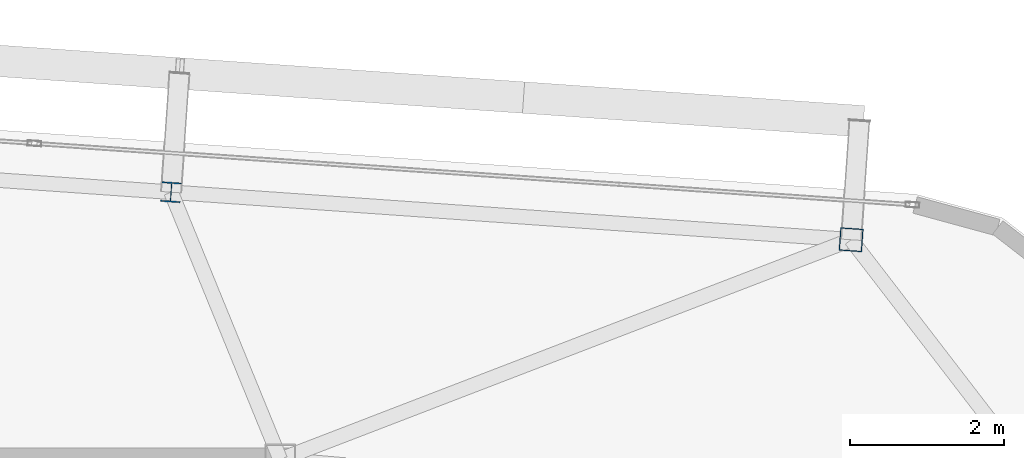
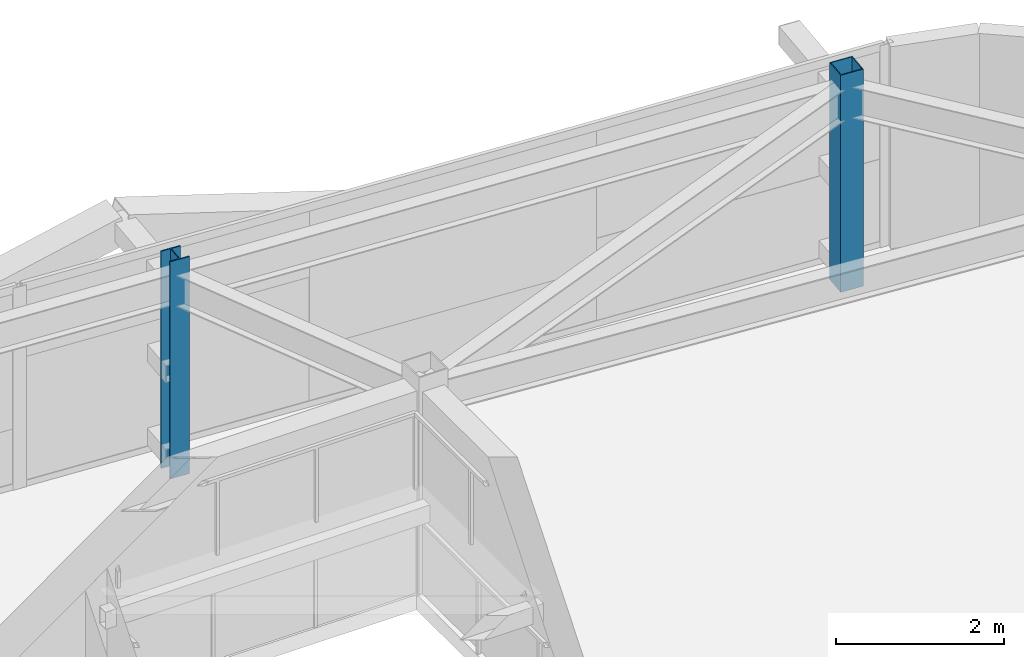
# One storey, part 5 of 39: 2 columns.
"""IFC4 building model written with IfcOpenShell, lengths in metres."""

from ifc_helpers import new_model, si_unit, direction, frame, origin, origin_2d, place, context, subcontext, project, spatial, hollow_rectangle, i_section, extrude, source, transform, mapped, material, material_profile, profile_set, type_object, element, save


model = new_model("IFC4")

# Units and contexts
model_context = context("Model", 3, precision=1e-05, world=origin(), true_north=direction((0.0, 1.0)))
body_context = subcontext(model_context, "Body", "Model", "MODEL_VIEW")
ifc_project = project(units=[si_unit("LENGTHUNIT", "METRE"), si_unit("AREAUNIT", "SQUARE_METRE"), si_unit("VOLUMEUNIT", "CUBIC_METRE"), si_unit("PLANEANGLEUNIT", "RADIAN"), si_unit("MASSUNIT", "GRAM", prefix="KILO")], contexts=[model_context])

# Site, building, storey
site_placement = place(None, origin())
site = spatial("IfcSite", under=ifc_project, at=site_placement, CompositionType="ELEMENT")
building_placement = place(site_placement, origin())
building = spatial("IfcBuilding", under=site, at=building_placement, Name="Taldren Reach Tower", CompositionType="ELEMENT")
storey_placement = place(building_placement, frame((0.0, 0.0, 136.14990234375)))
storey = spatial("IfcBuildingStorey", under=building, at=storey_placement, Name="L41", CompositionType="ELEMENT", Elevation=136.14990234375)

# Columns
ifc_material_1 = material(Name="Steel Gr 450 (C450L0)", Category="steel")
ifc_material_profile_1 = material_profile(ifc_material_1, hollow_rectangle(XDim=0.300048828125, YDim=0.300048828125, WallThickness=0.012451171875, at=origin_2d()), Name="300x300x12.5SHS")
ifc_profile_set_1 = profile_set([ifc_material_profile_1], Name="Steel Gr 450 (C450L0)")
column_type_1 = type_object("IfcColumnType", Name="COL-SHS300", PredefinedType="COLUMN", material=ifc_profile_set_1)
shared_shape_1 = source(origin(), body_context, "Body", "SweptSolid", [
    extrude(hollow_rectangle(XDim=0.300048828125, YDim=0.300048828125, WallThickness=0.012451171875, at=origin_2d()), origin(), (0.0, 0.0, 1.0), 3.150146484375),
])
column_1_placement = place(storey_placement, frame((58.4365234375, 34.861572265625, 0.0), z_axis=(0.0, 0.0, 1.0), x_axis=(0.99756405026, -0.069756473744, 0.0)))
element("IfcColumn", 1, at=column_1_placement, inside=storey, type_object=column_type_1, Name="Block B3 perimeter column N6 L41", PredefinedType="COLUMN", context=body_context, shape_type="MappedRepresentation", body=[
    mapped(shared_shape_1, transform((0.0, 0.0, 0.0), scale=1.0)),
])
ifc_material_2 = material(Name="Steel Gr 350 (350PLUS)", Category="steel")
ifc_material_profile_2 = material_profile(ifc_material_2, i_section(OverallWidth=0.256103515625, OverallDepth=0.260009765625, WebThickness=0.010498046875, FlangeThickness=0.017333984375, at=origin_2d()), Name="250UC89.5")
ifc_profile_set_2 = profile_set([ifc_material_profile_2], Name="Steel Gr 350 (350PLUS)")
column_type_2 = type_object("IfcColumnType", Name="COL-UC250", PredefinedType="COLUMN", material=ifc_profile_set_2)
shared_shape_2 = source(origin(), body_context, "Body", "SweptSolid", [
    extrude(i_section(OverallWidth=0.256103515625, OverallDepth=0.260009765625, WebThickness=0.010498046875, FlangeThickness=0.017333984375, at=origin_2d()), origin(), (0.0, 0.0, 1.0), 3.150146484375),
])
column_2_placement = place(storey_placement, frame((49.578125, 35.48095703125, 0.0), z_axis=(0.0, 0.0, 1.0), x_axis=(0.99756405026, -0.069756473744, 0.0)))
element("IfcColumn", 2, at=column_2_placement, inside=storey, type_object=column_type_2, Name="Block B3 perimeter column N5 L41", PredefinedType="COLUMN", context=body_context, shape_type="MappedRepresentation", body=[
    mapped(shared_shape_2, transform((0.0, 0.0, 0.0), scale=1.0)),
])

save(model, "model.ifc")
